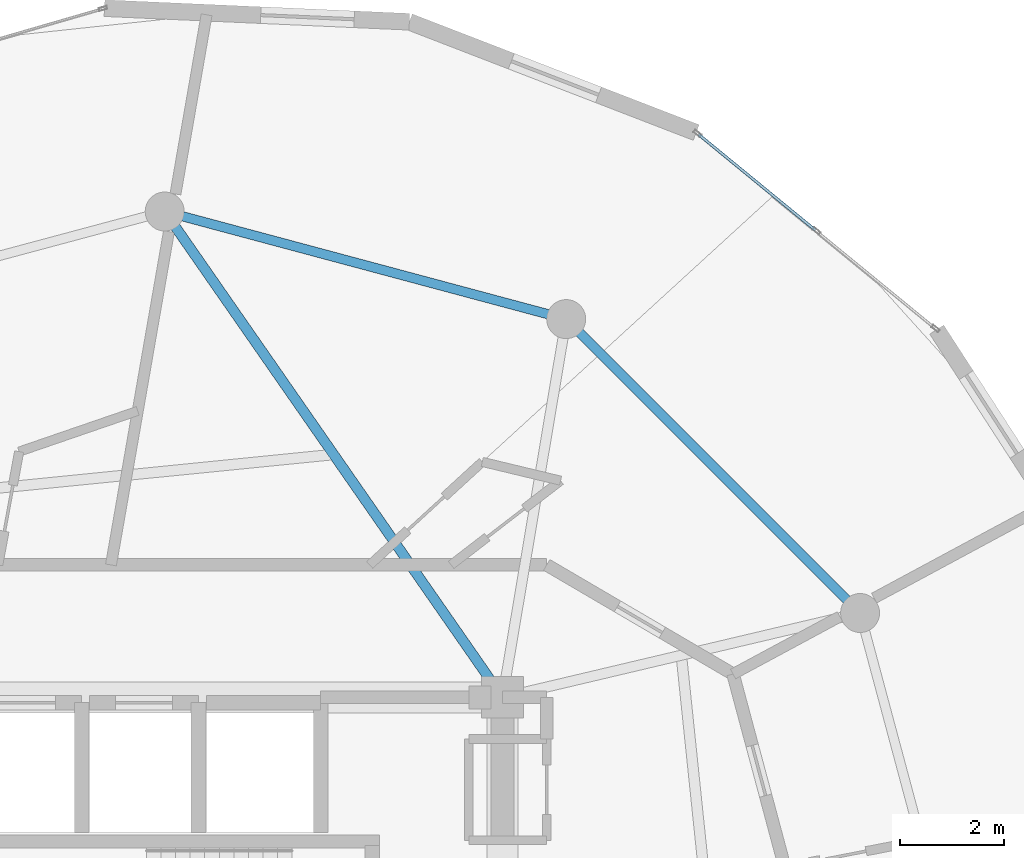
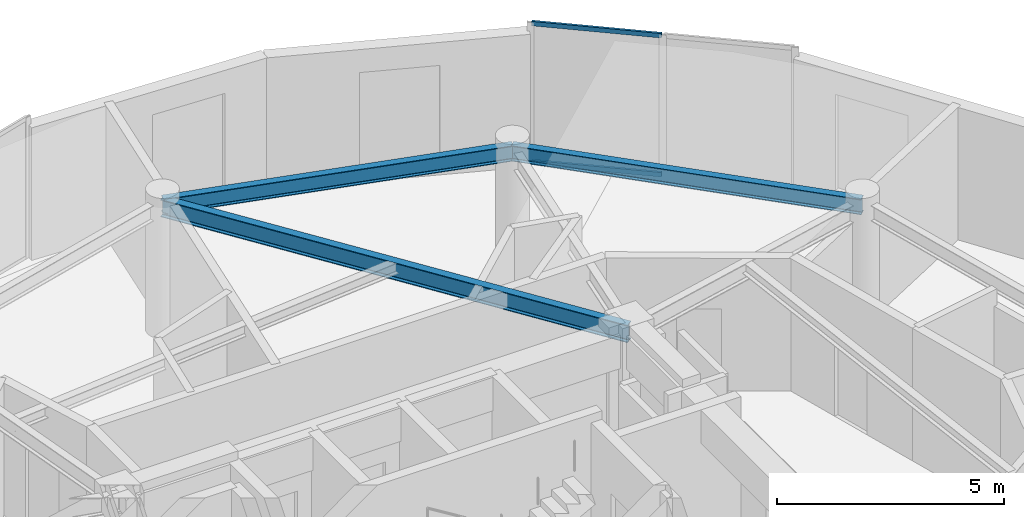
# One storey, part 7 of 16: 3 beams, 2 members, 1 element without a shape of its own.
"""IFC4 building model written with IfcOpenShell, lengths in metres."""

from ifc_helpers import new_model, si_unit, direction, frame, origin, origin_2d, place, context, subcontext, project, spatial, hollow_rectangle, i_section, extrude, source, transform, mapped, material, layer, layer_set, material_profile, profile_set, type_object, element, aggregate, save


model = new_model("IFC4")

# Units and contexts
model_context = context("Model", 3, precision=1e-05, world=origin(), true_north=direction((0.0, 1.0)))
body_context = subcontext(model_context, "Body", "Model", "MODEL_VIEW")
ifc_project = project(units=[si_unit("LENGTHUNIT", "METRE"), si_unit("AREAUNIT", "SQUARE_METRE"), si_unit("VOLUMEUNIT", "CUBIC_METRE"), si_unit("PLANEANGLEUNIT", "RADIAN"), si_unit("MASSUNIT", "GRAM", prefix="KILO")], contexts=[model_context])

# Site, building, storey
site_placement = place(None, origin())
site = spatial("IfcSite", under=ifc_project, at=site_placement, CompositionType="ELEMENT")
building_placement = place(site_placement, origin())
building = spatial("IfcBuilding", under=site, at=building_placement, Name="Solvirekh Grand Hotel", CompositionType="ELEMENT")
storey_placement = place(building_placement, frame((0.0, 0.0, 258.199951171875)))
storey = spatial("IfcBuildingStorey", under=building, at=storey_placement, Name="L67", CompositionType="ELEMENT", Elevation=258.199951171875)

# Beams
ifc_material_1 = material(Name="Steel S355", Category="steel")
ifc_material_profile_1 = material_profile(ifc_material_1, i_section(OverallWidth=0.194091796875, OverallDepth=0.468994140625, WebThickness=0.010986328125, FlangeThickness=0.01904296875, FilletRadius=0.012939453125, at=origin_2d()), Name="W460X106")
ifc_profile_set_1 = profile_set([ifc_material_profile_1], Name="Steel S355")
beam_type_1 = type_object("IfcBeamType", Name="Beam_Radial_W460H", PredefinedType="BEAM", material=ifc_profile_set_1)
beam_1_placement = place(storey_placement, frame((6.5, 6.10009765625, 3.3349609375), z_axis=(-0.570813192472, 0.821079959139, 0.0), x_axis=(-0.821079959139, -0.570813192472, 0.0)))
element("IfcBeam", 1, at=beam_1_placement, inside=storey, type_object=beam_type_1, Name="L67 radial floor beam R04", PredefinedType="BEAM", context=body_context, shape_type="SweptSolid", body=[
    extrude(i_section(OverallWidth=0.194091796875, OverallDepth=0.468994140625, WebThickness=0.010986328125, FlangeThickness=0.01904296875, FilletRadius=0.012939453125, at=origin_2d()), origin(), (0.0, 0.0, 1.0), 11.38720703125),
])
ifc_material_profile_2 = material_profile(ifc_material_1, i_section(OverallWidth=0.180908203125, OverallDepth=0.4169921875, WebThickness=0.010009765625, FlangeThickness=0.01611328125, FilletRadius=0.011962890625, at=origin_2d()), Name="W410X85")
ifc_profile_set_2 = profile_set([ifc_material_profile_2], Name="Steel S355")
beam_type_2 = type_object("IfcBeamType", Name="Spandrel_Ring_W410", PredefinedType="SPANDREL", material=ifc_profile_set_2)
beam_2_placement = place(storey_placement, frame((13.3798828125, 7.72509765625, 3.361083984375), z_axis=(-0.707106781187, 0.707106781187, 0.0), x_axis=(-0.707106781187, -0.707106781187, 0.0)))
element("IfcBeam", 2, at=beam_2_placement, inside=storey, type_object=beam_type_2, Name="L67 perimeter spandrel beam 2", PredefinedType="SPANDREL", context=body_context, shape_type="SweptSolid", body=[
    extrude(i_section(OverallWidth=0.180908203125, OverallDepth=0.4169921875, WebThickness=0.010009765625, FlangeThickness=0.01611328125, FilletRadius=0.011962890625, at=origin_2d()), origin(), (0.0, 0.0, 1.0), 7.9970703125),
])
beam_3_placement = place(storey_placement, frame((7.72509765625, 13.3798828125, 3.361083984375), z_axis=(-0.965921616143, 0.258834757072, 0.0), x_axis=(-0.258834757072, -0.965921616143, 0.0)))
element("IfcBeam", 3, at=beam_3_placement, inside=storey, type_object=beam_type_2, Name="L67 perimeter spandrel beam 3", PredefinedType="SPANDREL", context=body_context, shape_type="SweptSolid", body=[
    extrude(i_section(OverallWidth=0.180908203125, OverallDepth=0.4169921875, WebThickness=0.010009765625, FlangeThickness=0.01611328125, FilletRadius=0.011962890625, at=origin_2d()), origin(), (0.0, 0.0, 1.0), 7.99755859375),
])

# Curtain wall, members
ifc_material_2 = material(Name="Anodized Bronze Aluminium 6063-T6", Category="aluminium")
ifc_layer = layer(ifc_material_2, 0.159912109375)
ifc_layer_set = layer_set([ifc_layer], Name="Anodized Bronze Aluminium 6063-T6")
curtain_wall_type = type_object("IfcCurtainWallType", Name="CW_Sys4_HighZoneFlushBronzeCW", PredefinedType="NOTDEFINED", material=ifc_layer_set)
curtain_wall_placement = place(storey_placement, origin())
curtain_wall = element("IfcCurtainWall", 4, at=curtain_wall_placement, inside=storey, type_object=curtain_wall_type, Name="L67 unitised bronze-glass curtain wall CW-L67-C08", PredefinedType="NOTDEFINED")
ifc_material_profile_3 = material_profile(ifc_material_2, hollow_rectangle(XDim=0.054931640625, YDim=0.1201171875, WallThickness=0.00390625, at=origin_2d()), Name="ALU RHS 120X55X4")
ifc_profile_set_3 = profile_set([ifc_material_profile_3], Name="Anodized Bronze Aluminium 6063-T6")
member_type = type_object("IfcMemberType", Name="CWTransom_Sys4", PredefinedType="USERDEFINED", material=ifc_profile_set_3)
shared_shape = source(origin(), body_context, "Body", "SweptSolid", [
    extrude(hollow_rectangle(XDim=0.054931640625, YDim=0.1201171875, WallThickness=0.00390625, at=origin_2d()), origin(), (0.0, 0.0, 1.0), 2.902099609375),
])
member_1_placement = place(storey_placement, frame((12.517333984375, 15.092529296875, 0.027587890625), z_axis=(-0.773511088682, 0.633782766953, 0.0), x_axis=(-0.633782766953, -0.773511088682, 0.0)))
member_1 = element("IfcMember", 5, at=member_1_placement, type_object=member_type, Name="U04 transom 2.1", ObjectType="TRANSOM", PredefinedType="USERDEFINED", context=body_context, shape_type="MappedRepresentation", body=[
    mapped(shared_shape, transform((0.0, 0.0, 0.0), x_axis=(1.0, 0.0, 0.0), y_axis=(0.0, 1.0, 0.0), z_axis=(0.0, 0.0, 1.0), scale=1.0)),
])
member_2_placement = place(storey_placement, frame((12.517333984375, 15.092529296875, 3.7724609375), z_axis=(-0.773511088682, 0.633782766953, 0.0), x_axis=(-0.633782766953, -0.773511088682, 0.0)))
member_2 = element("IfcMember", 6, at=member_2_placement, type_object=member_type, Name="U04 transom 2.2", ObjectType="TRANSOM", PredefinedType="USERDEFINED", context=body_context, shape_type="MappedRepresentation", body=[
    mapped(shared_shape, transform((0.0, 0.0, 0.0), x_axis=(1.0, 0.0, 0.0), y_axis=(0.0, 1.0, 0.0), z_axis=(0.0, 0.0, 1.0), scale=1.0)),
])
aggregate(curtain_wall, [member_1, member_2])

save(model, "model.ifc")
